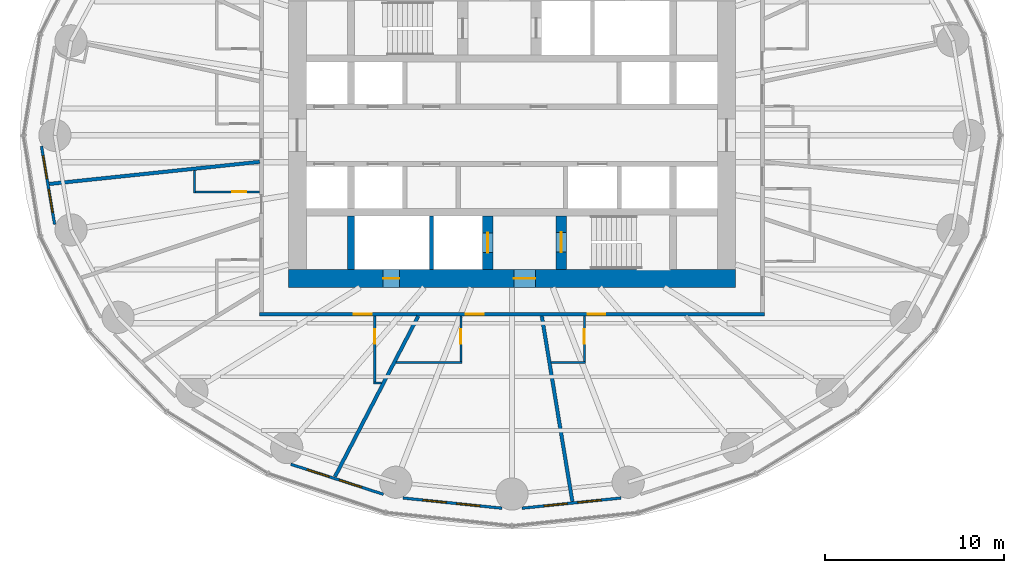
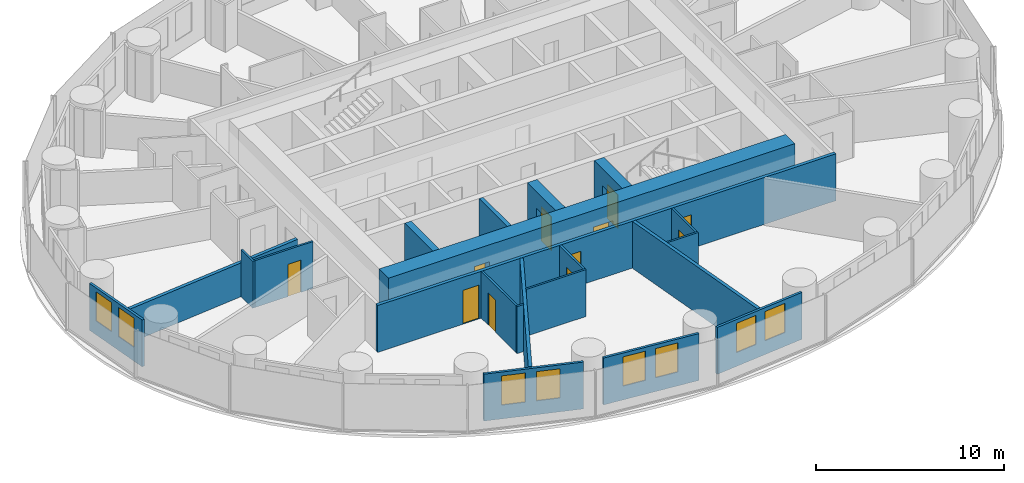
# One storey, part 6 of 13: 21 walls, 11 doors, 8 windows, 19 openings.
"""IFC4 building model written with IfcOpenShell, lengths in metres."""

from ifc_helpers import new_model, si_unit, direction, frame, frame_2d, origin, place, context, subcontext, project, spatial, rectangle, extrude, material, layer, layer_set, type_object, element, fill, save


model = new_model("IFC4")

# Units and contexts
model_context = context("Model", 3, precision=1e-05, world=origin(), true_north=direction((0.0, 1.0)))
body_context = subcontext(model_context, "Body", "Model", "MODEL_VIEW")
ifc_project = project(units=[si_unit("LENGTHUNIT", "METRE"), si_unit("AREAUNIT", "SQUARE_METRE"), si_unit("VOLUMEUNIT", "CUBIC_METRE"), si_unit("PLANEANGLEUNIT", "RADIAN"), si_unit("MASSUNIT", "GRAM", prefix="KILO")], contexts=[model_context])

# Site, building, storey
site_placement = place(None, origin())
site = spatial("IfcSite", under=ifc_project, at=site_placement, CompositionType="ELEMENT")
building_placement = place(site_placement, origin())
building = spatial("IfcBuilding", under=site, at=building_placement, Name="Hankou Lantern Tower", CompositionType="ELEMENT")
storey_placement = place(building_placement, frame((0.0, 0.0, 42.60009765625)))
storey = spatial("IfcBuildingStorey", under=building, at=storey_placement, Name="L09", CompositionType="ELEMENT", Elevation=42.60009765625)

# Wall, openings, doors
ifc_material_1 = material(Name="Concrete C60", Category="concrete")
ifc_layer_1 = layer(ifc_material_1, 1.0)
ifc_layer_set_1 = layer_set([ifc_layer_1], Name="Concrete C60")
wall_type_1 = type_object("IfcWallType", Name="CW1 CORE WALL 1000", PredefinedType="SHEAR", material=ifc_layer_set_1)
wall_1_placement = place(storey_placement, frame((12.5, -8.0, 0.0), z_axis=(0.0, 0.0, 1.0), x_axis=(-1.0, 0.0, 0.0)))
wall_1 = element("IfcWall", 1, at=wall_1_placement, inside=storey, type_object=wall_type_1, Name="Core wall south L09", PredefinedType="SHEAR", context=body_context, shape_type="SweptSolid", body=[
    extrude(rectangle(XDim=25.0, YDim=1.0, at=frame_2d((12.5, 0.0))), origin(), (0.0, 0.0, 1.0), 3.2998046875),
])
opening_1_placement = place(wall_1_placement, frame((11.199951171875, 0.0, 0.0)))
opening_1 = element("IfcOpeningElement", 2, at=opening_1_placement, cuts=wall_1, Name="Opening D5", PredefinedType="OPENING", context=body_context, shape_type="SweptSolid", body=[
    extrude(rectangle(XDim=1.199951171875, YDim=2.199951171875, at=frame_2d((0.60009765625, 1.10009765625))), frame((0.0, 0.510009765625, 0.0), z_axis=(0.0, -1.0, 0.0), x_axis=(1.0, 0.0, 0.0)), (0.0, 0.0, 1.0), 1.02001953125),
])
opening_2_placement = place(wall_1_placement, frame((18.800048828125, 0.0, 0.0)))
opening_2 = element("IfcOpeningElement", 3, at=opening_2_placement, cuts=wall_1, Name="Opening D7", PredefinedType="OPENING", context=body_context, shape_type="SweptSolid", body=[
    extrude(rectangle(XDim=0.89990234375, YDim=2.199951171875, at=frame_2d((0.449951171875, 1.10009765625))), frame((0.0, 0.510009765625, 0.0), z_axis=(0.0, -1.0, 0.0), x_axis=(1.0, 0.0, 0.0)), (0.0, 0.0, 1.0), 1.02001953125),
])
ifc_material_2 = material(Name="Steel door leaf", Category="steel")
door_type_1 = type_object("IfcDoorType", Name="D5 STAIR LOBBY DOOR 1200X2200", OperationType="SINGLE_SWING_LEFT", PredefinedType="DOOR", material=ifc_material_2)
door_1_placement = place(opening_1_placement, origin())
door_1 = element("IfcDoor", 4, at=door_1_placement, inside=storey, type_object=door_type_1, Name="Stair B lobby door", OperationType="SINGLE_SWING_LEFT", OverallHeight=2.199951171875, OverallWidth=1.199951171875, PredefinedType="DOOR", context=body_context, shape_type="SweptSolid", body=[
    extrude(rectangle(XDim=1.199951171875, YDim=2.199951171875, at=frame_2d((0.60009765625, 1.10009765625))), frame((0.0, 0.02490234375, 0.0), z_axis=(0.0, -1.0, 0.0), x_axis=(1.0, 0.0, 0.0)), (0.0, 0.0, 1.0), 0.050048828125),
])
fill(opening_1, door_1)
ifc_material_3 = material(Name="Steel door leaf", Category="steel")
door_type_2 = type_object("IfcDoorType", Name="D7 RISER DOOR 900X2200", OperationType="SINGLE_SWING_LEFT", PredefinedType="DOOR", material=ifc_material_3)
door_2_placement = place(opening_2_placement, origin())
door_2 = element("IfcDoor", 5, at=door_2_placement, inside=storey, type_object=door_type_2, Name="Riser S1 door", OperationType="SINGLE_SWING_RIGHT", OverallHeight=2.199951171875, OverallWidth=0.89990234375, PredefinedType="DOOR", context=body_context, shape_type="SweptSolid", body=[
    extrude(rectangle(XDim=0.89990234375, YDim=2.199951171875, at=frame_2d((0.449951171875, 1.10009765625))), frame((0.0, 0.02490234375, 0.0), z_axis=(0.0, -1.0, 0.0), x_axis=(1.0, 0.0, 0.0)), (0.0, 0.0, 1.0), 0.050048828125),
])
fill(opening_2, door_2)

# Wall
ifc_material_4 = material(Name="Concrete C60", Category="concrete")
ifc_layer_2 = layer(ifc_material_4, 0.39990234375)
ifc_layer_set_2 = layer_set([ifc_layer_2], Name="Concrete C60")
wall_type_2 = type_object("IfcWallType", Name="CW4 CORE CROSS WALL 400", PredefinedType="SHEAR", material=ifc_layer_set_2)
wall_2_placement = place(storey_placement, frame((-9.0, -7.5, 0.0), z_axis=(0.0, 0.0, 1.0), x_axis=(0.0, 1.0, 0.0)))
element("IfcWall", 6, at=wall_2_placement, inside=storey, type_object=wall_type_2, Name="Core strip wall L09", PredefinedType="SHEAR", context=body_context, shape_type="SweptSolid", body=[
    extrude(rectangle(XDim=3.0, YDim=0.39990234375, at=frame_2d((1.5, 0.0))), origin(), (0.0, 0.0, 1.0), 3.2998046875),
])

# Wall, opening, door
ifc_material_5 = material(Name="Concrete C60", Category="concrete")
ifc_layer_3 = layer(ifc_material_5, 0.60009765625)
ifc_layer_set_3 = layer_set([ifc_layer_3], Name="Concrete C60")
wall_type_3 = type_object("IfcWallType", Name="CW6 STAIR AND SHAFT WALL 600", PredefinedType="SHEAR", material=ifc_layer_set_3)
wall_3_placement = place(storey_placement, frame((2.75, -7.5, 0.0), z_axis=(0.0, 0.0, 1.0), x_axis=(0.0, 1.0, 0.0)))
wall_3 = element("IfcWall", 7, at=wall_3_placement, inside=storey, type_object=wall_type_3, Name="Stair wall L09", PredefinedType="SHEAR", context=body_context, shape_type="SweptSolid", body=[
    extrude(rectangle(XDim=3.0, YDim=0.60009765625, at=frame_2d((1.5, 0.0))), origin(), (0.0, 0.0, 1.0), 3.2998046875),
])
opening_3_placement = place(wall_3_placement, frame((0.97509765625, 0.0, 0.0)))
opening_3 = element("IfcOpeningElement", 8, at=opening_3_placement, cuts=wall_3, Name="Opening D4", PredefinedType="OPENING", context=body_context, shape_type="SweptSolid", body=[
    extrude(rectangle(XDim=1.10009765625, YDim=2.199951171875, at=frame_2d((0.550048828125, 1.10009765625))), frame((0.0, 0.31005859375, 0.0), z_axis=(0.0, -1.0, 0.0), x_axis=(1.0, 0.0, 0.0)), (0.0, 0.0, 1.0), 0.6201171875),
])
ifc_material_6 = material(Name="Steel door leaf", Category="steel")
door_type_3 = type_object("IfcDoorType", Name="D4 STAIR DOOR 1100X2200", OperationType="SINGLE_SWING_LEFT", PredefinedType="DOOR", material=ifc_material_6)
door_3_placement = place(opening_3_placement, origin())
door_3 = element("IfcDoor", 9, at=door_3_placement, inside=storey, type_object=door_type_3, Name="Stair B door", OperationType="SINGLE_SWING_RIGHT", OverallHeight=2.199951171875, OverallWidth=1.10009765625, PredefinedType="DOOR", context=body_context, shape_type="SweptSolid", body=[
    extrude(rectangle(XDim=1.10009765625, YDim=2.199951171875, at=frame_2d((0.550048828125, 1.10009765625))), frame((0.0, 0.02490234375, 0.0), z_axis=(0.0, -1.0, 0.0), x_axis=(1.0, 0.0, 0.0)), (0.0, 0.0, 1.0), 0.050048828125),
])
fill(opening_3, door_3)

wall_4_placement = place(storey_placement, frame((-1.35009765625, -7.5, 0.0), z_axis=(0.0, 0.0, 1.0), x_axis=(0.0, 1.0, 0.0)))
wall_4 = element("IfcWall", 10, at=wall_4_placement, inside=storey, type_object=wall_type_3, Name="Firefighting lift shaft wall L09", PredefinedType="SHEAR", context=body_context, shape_type="SweptSolid", body=[
    extrude(rectangle(XDim=3.0, YDim=0.60009765625, at=frame_2d((1.5, 0.0))), origin(), (0.0, 0.0, 1.0), 3.2998046875),
])
opening_4_placement = place(wall_4_placement, frame((0.949951171875, 0.0, 0.0)))
opening_4 = element("IfcOpeningElement", 11, at=opening_4_placement, cuts=wall_4, Name="Opening LD2", PredefinedType="OPENING", context=body_context, shape_type="SweptSolid", body=[
    extrude(rectangle(XDim=1.10009765625, YDim=2.199951171875, at=frame_2d((0.550048828125, 1.10009765625))), frame((0.0, 0.31005859375, 0.0), z_axis=(0.0, -1.0, 0.0), x_axis=(1.0, 0.0, 0.0)), (0.0, 0.0, 1.0), 0.6201171875),
])
ifc_material_7 = material(Name="Steel door leaf", Category="steel")
door_type_4 = type_object("IfcDoorType", Name="LD2 FIREFIGHTING LIFT LANDING DOOR 1100X2200", OperationType="DOUBLE_DOOR_SLIDING", PredefinedType="DOOR", material=ifc_material_7)
door_4_placement = place(opening_4_placement, origin())
door_4 = element("IfcDoor", 12, at=door_4_placement, inside=storey, type_object=door_type_4, Name="Firefighting lift FL2 landing door", OperationType="DOUBLE_DOOR_SLIDING", OverallHeight=2.199951171875, OverallWidth=1.10009765625, PredefinedType="DOOR", context=body_context, shape_type="SweptSolid", body=[
    extrude(rectangle(XDim=1.10009765625, YDim=2.199951171875, at=frame_2d((0.550048828125, 1.10009765625))), frame((0.0, 0.02490234375, 0.0), z_axis=(0.0, -1.0, 0.0), x_axis=(1.0, 0.0, 0.0)), (0.0, 0.0, 1.0), 0.050048828125),
])
fill(opening_4, door_4)

# Wall, openings, windows
ifc_material_8 = material(Name="Aluminium spandrel panel on steel studs", Category="steel")
ifc_layer_4 = layer(ifc_material_8, 0.14990234375)
ifc_layer_set_4 = layer_set([ifc_layer_4], Name="Aluminium spandrel panel on steel studs")
wall_type_4 = type_object("IfcWallType", Name="EW1 INNER SKIN WALL 150", PredefinedType="ELEMENTEDWALL", material=ifc_layer_set_4)
wall_5_placement = place(storey_placement, frame((-26.29736328125, -0.611083984375, 0.0), z_axis=(0.0, 0.0, 1.0), x_axis=(0.165641751141, -0.986185991727, 0.0)))
wall_5 = element("IfcWall", 13, at=wall_5_placement, inside=storey, type_object=wall_type_4, Name="Inner skin R13-R14 L09", PredefinedType="ELEMENTEDWALL", context=body_context, shape_type="SweptSolid", body=[
    extrude(rectangle(XDim=4.427734375, YDim=0.14990234375, at=frame_2d((2.2138671875, 0.0))), origin(), (0.0, 0.0, 1.0), 3.0498046875),
])
opening_5_placement = place(wall_5_placement, frame((0.5498046875, 0.0, 0.89990234375)))
opening_5 = element("IfcOpeningElement", 14, at=opening_5_placement, cuts=wall_5, Name="Opening W9", PredefinedType="OPENING", context=body_context, shape_type="SweptSolid", body=[
    extrude(rectangle(XDim=1.300048828125, YDim=1.89990234375, at=frame_2d((0.64990234375, 0.949951171875))), frame((0.0, 0.0849609375, 0.0), z_axis=(0.0, -1.0, 0.0), x_axis=(1.0, 0.0, 0.0)), (0.0, 0.0, 1.0), 0.169921875),
])
opening_6_placement = place(wall_5_placement, frame((2.44970703125, 0.0, 0.89990234375)))
opening_6 = element("IfcOpeningElement", 15, at=opening_6_placement, cuts=wall_5, Name="Opening W9", PredefinedType="OPENING", context=body_context, shape_type="SweptSolid", body=[
    extrude(rectangle(XDim=1.300048828125, YDim=1.89990234375, at=frame_2d((0.64990234375, 0.949951171875))), frame((0.0, 0.0849609375, 0.0), z_axis=(0.0, -1.0, 0.0), x_axis=(1.0, 0.0, 0.0)), (0.0, 0.0, 1.0), 0.169921875),
])
ifc_material_9 = material(Name="Aluminium framed double glazed window", Category="aluminium")
window_type = type_object("IfcWindowType", Name="W9 GUEST ROOM WINDOW 1300X1900", PartitioningType="DOUBLE_PANEL_VERTICAL", PredefinedType="WINDOW", material=ifc_material_9)
window_1_placement = place(opening_5_placement, origin())
window_1 = element("IfcWindow", 16, at=window_1_placement, inside=storey, type_object=window_type, Name="Window R13.1 L09", OverallHeight=1.89990234375, OverallWidth=1.300048828125, PartitioningType="SINGLE_PANEL", PredefinedType="WINDOW", context=body_context, shape_type="SweptSolid", body=[
    extrude(rectangle(XDim=1.300048828125, YDim=1.89990234375, at=frame_2d((0.64990234375, 0.949951171875))), frame((0.0, 0.030029296875, 0.0), z_axis=(0.0, -1.0, 0.0), x_axis=(1.0, 0.0, 0.0)), (0.0, 0.0, 1.0), 0.06005859375),
])
fill(opening_5, window_1)
window_2_placement = place(opening_6_placement, origin())
window_2 = element("IfcWindow", 17, at=window_2_placement, inside=storey, type_object=window_type, Name="Window R13.2 L09", OverallHeight=1.89990234375, OverallWidth=1.300048828125, PartitioningType="SINGLE_PANEL", PredefinedType="WINDOW", context=body_context, shape_type="SweptSolid", body=[
    extrude(rectangle(XDim=1.300048828125, YDim=1.89990234375, at=frame_2d((0.64990234375, 0.949951171875))), frame((0.0, 0.030029296875, 0.0), z_axis=(0.0, -1.0, 0.0), x_axis=(1.0, 0.0, 0.0)), (0.0, 0.0, 1.0), 0.06005859375),
])
fill(opening_6, window_2)

wall_6_placement = place(storey_placement, frame((-12.3662109375, -18.384033203125, 0.0), z_axis=(0.0, 0.0, 1.0), x_axis=(0.951138486029, -0.308764603532, 0.0)))
wall_6 = element("IfcWall", 18, at=wall_6_placement, inside=storey, type_object=wall_type_4, Name="Inner skin R17-R18 L09", PredefinedType="ELEMENTEDWALL", context=body_context, shape_type="SweptSolid", body=[
    extrude(rectangle(XDim=5.444091796875, YDim=0.14990234375, at=frame_2d((2.72216796875, 0.0))), origin(), (0.0, 0.0, 1.0), 3.0498046875),
])
opening_7_placement = place(wall_6_placement, frame((0.959716796875, 0.0, 0.89990234375)))
opening_7 = element("IfcOpeningElement", 19, at=opening_7_placement, cuts=wall_6, Name="Opening W9", PredefinedType="OPENING", context=body_context, shape_type="SweptSolid", body=[
    extrude(rectangle(XDim=1.300048828125, YDim=1.89990234375, at=frame_2d((0.64990234375, 0.949951171875))), frame((0.0, 0.0849609375, 0.0), z_axis=(0.0, -1.0, 0.0), x_axis=(1.0, 0.0, 0.0)), (0.0, 0.0, 1.0), 0.169921875),
])
opening_8_placement = place(wall_6_placement, frame((2.85986328125, 0.0, 0.89990234375)))
opening_8 = element("IfcOpeningElement", 20, at=opening_8_placement, cuts=wall_6, Name="Opening W9", PredefinedType="OPENING", context=body_context, shape_type="SweptSolid", body=[
    extrude(rectangle(XDim=1.300048828125, YDim=1.89990234375, at=frame_2d((0.64990234375, 0.949951171875))), frame((0.0, 0.0849609375, 0.0), z_axis=(0.0, -1.0, 0.0), x_axis=(1.0, 0.0, 0.0)), (0.0, 0.0, 1.0), 0.169921875),
])
window_3_placement = place(opening_7_placement, origin())
window_3 = element("IfcWindow", 21, at=window_3_placement, inside=storey, type_object=window_type, Name="Window R17.1 L09", OverallHeight=1.89990234375, OverallWidth=1.300048828125, PartitioningType="SINGLE_PANEL", PredefinedType="WINDOW", context=body_context, shape_type="SweptSolid", body=[
    extrude(rectangle(XDim=1.300048828125, YDim=1.89990234375, at=frame_2d((0.64990234375, 0.949951171875))), frame((0.0, 0.030029296875, 0.0), z_axis=(0.0, -1.0, 0.0), x_axis=(1.0, 0.0, 0.0)), (0.0, 0.0, 1.0), 0.06005859375),
])
fill(opening_7, window_3)
window_4_placement = place(opening_8_placement, origin())
window_4 = element("IfcWindow", 22, at=window_4_placement, inside=storey, type_object=window_type, Name="Window R17.2 L09", OverallHeight=1.89990234375, OverallWidth=1.300048828125, PartitioningType="SINGLE_PANEL", PredefinedType="WINDOW", context=body_context, shape_type="SweptSolid", body=[
    extrude(rectangle(XDim=1.300048828125, YDim=1.89990234375, at=frame_2d((0.64990234375, 0.949951171875))), frame((0.0, 0.030029296875, 0.0), z_axis=(0.0, -1.0, 0.0), x_axis=(1.0, 0.0, 0.0)), (0.0, 0.0, 1.0), 0.06005859375),
])
fill(opening_8, window_4)

wall_7_placement = place(storey_placement, frame((-6.09765625, -20.27099609375, 0.0), z_axis=(0.0, 0.0, 1.0), x_axis=(0.994723735084, -0.102589915983, 0.0)))
wall_7 = element("IfcWall", 23, at=wall_7_placement, inside=storey, type_object=wall_type_4, Name="Inner skin R18-R19 L09", PredefinedType="ELEMENTEDWALL", context=body_context, shape_type="SweptSolid", body=[
    extrude(rectangle(XDim=5.575927734375, YDim=0.14990234375, at=frame_2d((2.7880859375, 0.0))), origin(), (0.0, 0.0, 1.0), 3.0498046875),
])
opening_9_placement = place(wall_7_placement, frame((1.128662109375, 0.0, 0.89990234375)))
opening_9 = element("IfcOpeningElement", 24, at=opening_9_placement, cuts=wall_7, Name="Opening W9", PredefinedType="OPENING", context=body_context, shape_type="SweptSolid", body=[
    extrude(rectangle(XDim=1.300048828125, YDim=1.89990234375, at=frame_2d((0.64990234375, 0.949951171875))), frame((0.0, 0.0849609375, 0.0), z_axis=(0.0, -1.0, 0.0), x_axis=(1.0, 0.0, 0.0)), (0.0, 0.0, 1.0), 0.169921875),
])
opening_10_placement = place(wall_7_placement, frame((3.02880859375, 0.0, 0.89990234375)))
opening_10 = element("IfcOpeningElement", 25, at=opening_10_placement, cuts=wall_7, Name="Opening W9", PredefinedType="OPENING", context=body_context, shape_type="SweptSolid", body=[
    extrude(rectangle(XDim=1.300048828125, YDim=1.89990234375, at=frame_2d((0.64990234375, 0.949951171875))), frame((0.0, 0.0849609375, 0.0), z_axis=(0.0, -1.0, 0.0), x_axis=(1.0, 0.0, 0.0)), (0.0, 0.0, 1.0), 0.169921875),
])
window_5_placement = place(opening_9_placement, origin())
window_5 = element("IfcWindow", 26, at=window_5_placement, inside=storey, type_object=window_type, Name="Window R18.1 L09", OverallHeight=1.89990234375, OverallWidth=1.300048828125, PartitioningType="SINGLE_PANEL", PredefinedType="WINDOW", context=body_context, shape_type="SweptSolid", body=[
    extrude(rectangle(XDim=1.300048828125, YDim=1.89990234375, at=frame_2d((0.64990234375, 0.949951171875))), frame((0.0, 0.030029296875, 0.0), z_axis=(0.0, -1.0, 0.0), x_axis=(1.0, 0.0, 0.0)), (0.0, 0.0, 1.0), 0.06005859375),
])
fill(opening_9, window_5)
window_6_placement = place(opening_10_placement, origin())
window_6 = element("IfcWindow", 27, at=window_6_placement, inside=storey, type_object=window_type, Name="Window R18.2 L09", OverallHeight=1.89990234375, OverallWidth=1.300048828125, PartitioningType="SINGLE_PANEL", PredefinedType="WINDOW", context=body_context, shape_type="SweptSolid", body=[
    extrude(rectangle(XDim=1.300048828125, YDim=1.89990234375, at=frame_2d((0.64990234375, 0.949951171875))), frame((0.0, 0.030029296875, 0.0), z_axis=(0.0, -1.0, 0.0), x_axis=(1.0, 0.0, 0.0)), (0.0, 0.0, 1.0), 0.06005859375),
])
fill(opening_10, window_6)

wall_8_placement = place(storey_placement, frame((0.55126953125, -20.843017578125, 0.0), z_axis=(0.0, 0.0, 1.0), x_axis=(0.994723735084, 0.102589915983, 0.0)))
wall_8 = element("IfcWall", 28, at=wall_8_placement, inside=storey, type_object=wall_type_4, Name="Inner skin R19-R20 L09", PredefinedType="ELEMENTEDWALL", context=body_context, shape_type="SweptSolid", body=[
    extrude(rectangle(XDim=5.575927734375, YDim=0.14990234375, at=frame_2d((2.7880859375, 0.0))), origin(), (0.0, 0.0, 1.0), 3.0498046875),
])
opening_11_placement = place(wall_8_placement, frame((1.246826171875, 0.0, 0.89990234375)))
opening_11 = element("IfcOpeningElement", 29, at=opening_11_placement, cuts=wall_8, Name="Opening W9", PredefinedType="OPENING", context=body_context, shape_type="SweptSolid", body=[
    extrude(rectangle(XDim=1.300048828125, YDim=1.89990234375, at=frame_2d((0.64990234375, 0.949951171875))), frame((0.0, 0.0849609375, 0.0), z_axis=(0.0, -1.0, 0.0), x_axis=(1.0, 0.0, 0.0)), (0.0, 0.0, 1.0), 0.169921875),
])
opening_12_placement = place(wall_8_placement, frame((3.146728515625, 0.0, 0.89990234375)))
opening_12 = element("IfcOpeningElement", 30, at=opening_12_placement, cuts=wall_8, Name="Opening W9", PredefinedType="OPENING", context=body_context, shape_type="SweptSolid", body=[
    extrude(rectangle(XDim=1.300048828125, YDim=1.89990234375, at=frame_2d((0.64990234375, 0.949951171875))), frame((0.0, 0.0849609375, 0.0), z_axis=(0.0, -1.0, 0.0), x_axis=(1.0, 0.0, 0.0)), (0.0, 0.0, 1.0), 0.169921875),
])
window_7_placement = place(opening_11_placement, origin())
window_7 = element("IfcWindow", 31, at=window_7_placement, inside=storey, type_object=window_type, Name="Window R19.1 L09", OverallHeight=1.89990234375, OverallWidth=1.300048828125, PartitioningType="SINGLE_PANEL", PredefinedType="WINDOW", context=body_context, shape_type="SweptSolid", body=[
    extrude(rectangle(XDim=1.300048828125, YDim=1.89990234375, at=frame_2d((0.64990234375, 0.949951171875))), frame((0.0, 0.030029296875, 0.0), z_axis=(0.0, -1.0, 0.0), x_axis=(1.0, 0.0, 0.0)), (0.0, 0.0, 1.0), 0.06005859375),
])
fill(opening_11, window_7)
window_8_placement = place(opening_12_placement, origin())
window_8 = element("IfcWindow", 32, at=window_8_placement, inside=storey, type_object=window_type, Name="Window R19.2 L09", OverallHeight=1.89990234375, OverallWidth=1.300048828125, PartitioningType="SINGLE_PANEL", PredefinedType="WINDOW", context=body_context, shape_type="SweptSolid", body=[
    extrude(rectangle(XDim=1.300048828125, YDim=1.89990234375, at=frame_2d((0.64990234375, 0.949951171875))), frame((0.0, 0.030029296875, 0.0), z_axis=(0.0, -1.0, 0.0), x_axis=(1.0, 0.0, 0.0)), (0.0, 0.0, 1.0), 0.06005859375),
])
fill(opening_12, window_8)

# Walls
ifc_material_10 = material(Name="Masonry lightweight concrete block", Category="masonry")
ifc_layer_5 = layer(ifc_material_10, 0.199951171875)
ifc_layer_set_5 = layer_set([ifc_layer_5], Name="Masonry lightweight concrete block")
wall_type_5 = type_object("IfcWallType", Name="IW1 GUEST ROOM PARTY WALL 200", PredefinedType="PARTITIONING", material=ifc_layer_set_5)
wall_9_placement = place(storey_placement, frame((-14.10009765625, -1.48193359375, 0.0), z_axis=(0.0, 0.0, 1.0), x_axis=(-0.994522076235, -0.104526742422, 0.0)))
element("IfcWall", 33, at=wall_9_placement, inside=storey, type_object=wall_type_5, Name="Party wall R13-R14", PredefinedType="PARTITIONING", context=body_context, shape_type="SweptSolid", body=[
    extrude(rectangle(XDim=11.82080078125, YDim=0.199951171875, at=frame_2d((5.910400390625, 0.0))), origin(), (0.0, 0.0, 1.0), 2.199951171875),
])
wall_10_placement = place(storey_placement, frame((-5.238525390625, -10.10009765625, 0.0), z_axis=(0.0, 0.0, 1.0), x_axis=(-0.460422783389, -0.887699758103, 0.0)))
element("IfcWall", 34, at=wall_10_placement, inside=storey, type_object=wall_type_5, Name="Party wall R17-R18", PredefinedType="PARTITIONING", context=body_context, shape_type="SweptSolid", body=[
    extrude(rectangle(XDim=10.120361328125, YDim=0.199951171875, at=frame_2d((5.06005859375, 0.0))), origin(), (0.0, 0.0, 1.0), 3.0498046875),
])
wall_11_placement = place(storey_placement, frame((1.6650390625, -10.10009765625, 0.0), z_axis=(0.0, 0.0, 1.0), x_axis=(0.162657606458, -0.986682574621, 0.0)))
element("IfcWall", 35, at=wall_11_placement, inside=storey, type_object=wall_type_5, Name="Party wall R19-R20", PredefinedType="PARTITIONING", context=body_context, shape_type="SweptSolid", body=[
    extrude(rectangle(XDim=10.505126953125, YDim=0.199951171875, at=frame_2d((5.25244140625, 0.0))), origin(), (0.0, 0.0, 1.0), 3.0498046875),
])

# Wall, openings, doors
ifc_material_11 = material(Name="Masonry lightweight concrete block", Category="masonry")
ifc_layer_6 = layer(ifc_material_11, 0.199951171875)
ifc_layer_set_6 = layer_set([ifc_layer_6], Name="Masonry lightweight concrete block")
wall_type_6 = type_object("IfcWallType", Name="IW2 CORRIDOR WALL 200", PredefinedType="PARTITIONING", material=ifc_layer_set_6)
wall_12_placement = place(storey_placement, frame((14.10009765625, -10.0, 0.0), z_axis=(0.0, 0.0, 1.0), x_axis=(-1.0, 0.0, 0.0)))
wall_12 = element("IfcWall", 36, at=wall_12_placement, inside=storey, type_object=wall_type_6, Name="Corridor wall south", PredefinedType="PARTITIONING", context=body_context, shape_type="SweptSolid", body=[
    extrude(rectangle(XDim=28.2001953125, YDim=0.199951171875, at=frame_2d((14.10009765625, 0.0))), origin(), (0.0, 0.0, 1.0), 3.0498046875),
])
opening_13_placement = place(wall_12_placement, frame((21.948486328125, 0.0, 0.0)))
opening_13 = element("IfcOpeningElement", 37, at=opening_13_placement, cuts=wall_12, Name="Opening D2", PredefinedType="OPENING", context=body_context, shape_type="SweptSolid", body=[
    extrude(rectangle(XDim=1.0, YDim=2.199951171875, at=frame_2d((0.5, 1.10009765625))), frame((0.0, 0.10986328125, 0.0), z_axis=(0.0, -1.0, 0.0), x_axis=(1.0, 0.0, 0.0)), (0.0, 0.0, 1.0), 0.219970703125),
])
opening_14_placement = place(wall_12_placement, frame((15.68359375, 0.0, 0.0)))
opening_14 = element("IfcOpeningElement", 38, at=opening_14_placement, cuts=wall_12, Name="Opening D2", PredefinedType="OPENING", context=body_context, shape_type="SweptSolid", body=[
    extrude(rectangle(XDim=1.0, YDim=2.199951171875, at=frame_2d((0.5, 1.10009765625))), frame((0.0, 0.10986328125, 0.0), z_axis=(0.0, -1.0, 0.0), x_axis=(1.0, 0.0, 0.0)), (0.0, 0.0, 1.0), 0.219970703125),
])
opening_15_placement = place(wall_12_placement, frame((8.875, 0.0, 0.0)))
opening_15 = element("IfcOpeningElement", 39, at=opening_15_placement, cuts=wall_12, Name="Opening D2", PredefinedType="OPENING", context=body_context, shape_type="SweptSolid", body=[
    extrude(rectangle(XDim=1.0, YDim=2.199951171875, at=frame_2d((0.5, 1.10009765625))), frame((0.0, 0.10986328125, 0.0), z_axis=(0.0, -1.0, 0.0), x_axis=(1.0, 0.0, 0.0)), (0.0, 0.0, 1.0), 0.219970703125),
])
ifc_material_12 = material(Name="Steel door leaf", Category="steel")
door_type_5 = type_object("IfcDoorType", Name="D2 SUITE DOOR 1000X2200", OperationType="SINGLE_SWING_LEFT", PredefinedType="DOOR", material=ifc_material_12)
door_5_placement = place(opening_13_placement, origin())
door_5 = element("IfcDoor", 40, at=door_5_placement, inside=storey, type_object=door_type_5, Name="Suite door 0915", OperationType="SINGLE_SWING_LEFT", OverallHeight=2.199951171875, OverallWidth=1.0, PredefinedType="DOOR", context=body_context, shape_type="SweptSolid", body=[
    extrude(rectangle(XDim=1.0, YDim=2.199951171875, at=frame_2d((0.5, 1.10009765625))), frame((0.0, 0.02490234375, 0.0), z_axis=(0.0, -1.0, 0.0), x_axis=(1.0, 0.0, 0.0)), (0.0, 0.0, 1.0), 0.050048828125),
])
fill(opening_13, door_5)
door_6_placement = place(opening_14_placement, origin())
door_6 = element("IfcDoor", 41, at=door_6_placement, inside=storey, type_object=door_type_5, Name="Suite door 0916", OperationType="SINGLE_SWING_RIGHT", OverallHeight=2.199951171875, OverallWidth=1.0, PredefinedType="DOOR", context=body_context, shape_type="SweptSolid", body=[
    extrude(rectangle(XDim=1.0, YDim=2.199951171875, at=frame_2d((0.5, 1.10009765625))), frame((0.0, 0.02490234375, 0.0), z_axis=(0.0, -1.0, 0.0), x_axis=(1.0, 0.0, 0.0)), (0.0, 0.0, 1.0), 0.050048828125),
])
fill(opening_14, door_6)
door_7_placement = place(opening_15_placement, origin())
door_7 = element("IfcDoor", 42, at=door_7_placement, inside=storey, type_object=door_type_5, Name="Suite door 0917", OperationType="SINGLE_SWING_RIGHT", OverallHeight=2.199951171875, OverallWidth=1.0, PredefinedType="DOOR", context=body_context, shape_type="SweptSolid", body=[
    extrude(rectangle(XDim=1.0, YDim=2.199951171875, at=frame_2d((0.5, 1.10009765625))), frame((0.0, 0.02490234375, 0.0), z_axis=(0.0, -1.0, 0.0), x_axis=(1.0, 0.0, 0.0)), (0.0, 0.0, 1.0), 0.050048828125),
])
fill(opening_15, door_7)

# Wall
ifc_material_13 = material(Name="Masonry lightweight concrete block", Category="masonry")
ifc_layer_7 = layer(ifc_material_13, 0.1201171875)
ifc_layer_set_7 = layer_set([ifc_layer_7], Name="Masonry lightweight concrete block")
wall_type_7 = type_object("IfcWallType", Name="IW3 BATHROOM WALL 120", PredefinedType="PARTITIONING", material=ifc_layer_set_7)
wall_13_placement = place(storey_placement, frame((-17.75, -1.965576171875, 0.0), z_axis=(0.0, 0.0, 1.0), x_axis=(0.0, -1.0, 0.0)))
element("IfcWall", 43, at=wall_13_placement, inside=storey, type_object=wall_type_7, Name="Box wall 0913 1", PredefinedType="PARTITIONING", context=body_context, shape_type="SweptSolid", body=[
    extrude(rectangle(XDim=1.25634765625, YDim=0.1201171875, at=frame_2d((0.628173828125, 0.0))), origin(), (0.0, 0.0, 1.0), 3.0498046875),
])

# Wall, opening, door
wall_14_placement = place(storey_placement, frame((-14.10009765625, -3.161865234375, 0.0), z_axis=(0.0, 0.0, 1.0), x_axis=(-1.0, 0.0, 0.0)))
wall_14 = element("IfcWall", 44, at=wall_14_placement, inside=storey, type_object=wall_type_7, Name="Box wall 0913 1", PredefinedType="PARTITIONING", context=body_context, shape_type="SweptSolid", body=[
    extrude(rectangle(XDim=3.58984375, YDim=0.1201171875, at=frame_2d((1.794921875, 0.0))), origin(), (0.0, 0.0, 1.0), 3.0498046875),
])
opening_16_placement = place(wall_14_placement, frame((0.75, 0.0, 0.0)))
opening_16 = element("IfcOpeningElement", 45, at=opening_16_placement, cuts=wall_14, Name="Opening D3", PredefinedType="OPENING", context=body_context, shape_type="SweptSolid", body=[
    extrude(rectangle(XDim=0.800048828125, YDim=2.10009765625, at=frame_2d((0.39990234375, 1.050048828125))), frame((0.0, 0.070068359375, 0.0), z_axis=(0.0, -1.0, 0.0), x_axis=(1.0, 0.0, 0.0)), (0.0, 0.0, 1.0), 0.14013671875),
])
ifc_material_14 = material(Name="Timber door leaf", Category="wood")
door_type_6 = type_object("IfcDoorType", Name="D3 BATHROOM DOOR 800X2100", OperationType="SINGLE_SWING_LEFT", PredefinedType="DOOR", material=ifc_material_14)
door_8_placement = place(opening_16_placement, origin())
door_8 = element("IfcDoor", 46, at=door_8_placement, inside=storey, type_object=door_type_6, Name="En-suite bathroom 0913 door", OperationType="SINGLE_SWING_LEFT", OverallHeight=2.10009765625, OverallWidth=0.800048828125, PredefinedType="DOOR", context=body_context, shape_type="SweptSolid", body=[
    extrude(rectangle(XDim=0.800048828125, YDim=2.10009765625, at=frame_2d((0.39990234375, 1.050048828125))), frame((0.0, 0.02490234375, 0.0), z_axis=(0.0, -1.0, 0.0), x_axis=(1.0, 0.0, 0.0)), (0.0, 0.0, 1.0), 0.050048828125),
])
fill(opening_16, door_8)

# Wall
wall_15_placement = place(storey_placement, frame((-7.28369140625, -13.85009765625, 0.0), z_axis=(0.0, 0.0, 1.0), x_axis=(-1.0, 0.0, 0.0)))
element("IfcWall", 47, at=wall_15_placement, inside=storey, type_object=wall_type_7, Name="Box wall 0915 1", PredefinedType="PARTITIONING", context=body_context, shape_type="SweptSolid", body=[
    extrude(rectangle(XDim=0.44482421875, YDim=0.1201171875, at=frame_2d((0.222412109375, 0.0))), origin(), (0.0, 0.0, 1.0), 3.0498046875),
])

# Wall, opening, door
wall_16_placement = place(storey_placement, frame((-7.668701171875, -10.10009765625, 0.0), z_axis=(0.0, 0.0, 1.0), x_axis=(0.0, -1.0, 0.0)))
wall_16 = element("IfcWall", 48, at=wall_16_placement, inside=storey, type_object=wall_type_7, Name="Box wall 0915 1", PredefinedType="PARTITIONING", context=body_context, shape_type="SweptSolid", body=[
    extrude(rectangle(XDim=3.68994140625, YDim=0.1201171875, at=frame_2d((1.844970703125, 0.0))), origin(), (0.0, 0.0, 1.0), 3.0498046875),
])
opening_17_placement = place(wall_16_placement, frame((0.75, 0.0, 0.0)))
opening_17 = element("IfcOpeningElement", 49, at=opening_17_placement, cuts=wall_16, Name="Opening D3", PredefinedType="OPENING", context=body_context, shape_type="SweptSolid", body=[
    extrude(rectangle(XDim=0.800048828125, YDim=2.10009765625, at=frame_2d((0.39990234375, 1.050048828125))), frame((0.0, 0.070068359375, 0.0), z_axis=(0.0, -1.0, 0.0), x_axis=(1.0, 0.0, 0.0)), (0.0, 0.0, 1.0), 0.14013671875),
])
door_9_placement = place(opening_17_placement, origin())
door_9 = element("IfcDoor", 50, at=door_9_placement, inside=storey, type_object=door_type_6, Name="Junior suite 0915 bathroom door", OperationType="SINGLE_SWING_LEFT", OverallHeight=2.10009765625, OverallWidth=0.800048828125, PredefinedType="DOOR", context=body_context, shape_type="SweptSolid", body=[
    extrude(rectangle(XDim=0.800048828125, YDim=2.10009765625, at=frame_2d((0.39990234375, 1.050048828125))), frame((0.0, 0.02490234375, 0.0), z_axis=(0.0, -1.0, 0.0), x_axis=(1.0, 0.0, 0.0)), (0.0, 0.0, 1.0), 0.050048828125),
])
fill(opening_17, door_9)

# Wall
wall_17_placement = place(storey_placement, frame((-6.487060546875, -12.699951171875, 0.0), z_axis=(0.0, 0.0, 1.0), x_axis=(1.0, 0.0, 0.0)))
element("IfcWall", 51, at=wall_17_placement, inside=storey, type_object=wall_type_7, Name="Box wall 0916 1", PredefinedType="PARTITIONING", context=body_context, shape_type="SweptSolid", body=[
    extrude(rectangle(XDim=3.6884765625, YDim=0.1201171875, at=frame_2d((1.84423828125, 0.0))), origin(), (0.0, 0.0, 1.0), 3.0498046875),
])

# Wall, opening, door
wall_18_placement = place(storey_placement, frame((-2.858642578125, -10.10009765625, 0.0), z_axis=(0.0, 0.0, 1.0), x_axis=(0.0, -1.0, 0.0)))
wall_18 = element("IfcWall", 52, at=wall_18_placement, inside=storey, type_object=wall_type_7, Name="Box wall 0916 1", PredefinedType="PARTITIONING", context=body_context, shape_type="SweptSolid", body=[
    extrude(rectangle(XDim=2.539794921875, YDim=0.1201171875, at=frame_2d((1.27001953125, 0.0))), origin(), (0.0, 0.0, 1.0), 3.0498046875),
])
opening_18_placement = place(wall_18_placement, frame((0.75, 0.0, 0.0)))
opening_18 = element("IfcOpeningElement", 53, at=opening_18_placement, cuts=wall_18, Name="Opening D3", PredefinedType="OPENING", context=body_context, shape_type="SweptSolid", body=[
    extrude(rectangle(XDim=0.800048828125, YDim=2.10009765625, at=frame_2d((0.39990234375, 1.050048828125))), frame((0.0, 0.070068359375, 0.0), z_axis=(0.0, -1.0, 0.0), x_axis=(1.0, 0.0, 0.0)), (0.0, 0.0, 1.0), 0.14013671875),
])
door_10_placement = place(opening_18_placement, origin())
door_10 = element("IfcDoor", 54, at=door_10_placement, inside=storey, type_object=door_type_6, Name="Junior suite 0916 bathroom door", OperationType="SINGLE_SWING_LEFT", OverallHeight=2.10009765625, OverallWidth=0.800048828125, PredefinedType="DOOR", context=body_context, shape_type="SweptSolid", body=[
    extrude(rectangle(XDim=0.800048828125, YDim=2.10009765625, at=frame_2d((0.39990234375, 1.050048828125))), frame((0.0, 0.02490234375, 0.0), z_axis=(0.0, -1.0, 0.0), x_axis=(1.0, 0.0, 0.0)), (0.0, 0.0, 1.0), 0.050048828125),
])
fill(opening_18, door_10)

# Wall
wall_19_placement = place(storey_placement, frame((2.193603515625, -12.699951171875, 0.0), z_axis=(0.0, 0.0, 1.0), x_axis=(1.0, 0.0, 0.0)))
element("IfcWall", 55, at=wall_19_placement, inside=storey, type_object=wall_type_7, Name="Box wall 0917 1", PredefinedType="PARTITIONING", context=body_context, shape_type="SweptSolid", body=[
    extrude(rectangle(XDim=1.911376953125, YDim=0.1201171875, at=frame_2d((0.95556640625, 0.0))), origin(), (0.0, 0.0, 1.0), 3.0498046875),
])

# Wall, opening, door
wall_20_placement = place(storey_placement, frame((4.044921875, -10.10009765625, 0.0), z_axis=(0.0, 0.0, 1.0), x_axis=(0.0, -1.0, 0.0)))
wall_20 = element("IfcWall", 56, at=wall_20_placement, inside=storey, type_object=wall_type_7, Name="Box wall 0917 1", PredefinedType="PARTITIONING", context=body_context, shape_type="SweptSolid", body=[
    extrude(rectangle(XDim=2.539794921875, YDim=0.1201171875, at=frame_2d((1.27001953125, 0.0))), origin(), (0.0, 0.0, 1.0), 3.0498046875),
])
opening_19_placement = place(wall_20_placement, frame((0.75, 0.0, 0.0)))
opening_19 = element("IfcOpeningElement", 57, at=opening_19_placement, cuts=wall_20, Name="Opening D3", PredefinedType="OPENING", context=body_context, shape_type="SweptSolid", body=[
    extrude(rectangle(XDim=0.800048828125, YDim=2.10009765625, at=frame_2d((0.39990234375, 1.050048828125))), frame((0.0, 0.070068359375, 0.0), z_axis=(0.0, -1.0, 0.0), x_axis=(1.0, 0.0, 0.0)), (0.0, 0.0, 1.0), 0.14013671875),
])
door_11_placement = place(opening_19_placement, origin())
door_11 = element("IfcDoor", 58, at=door_11_placement, inside=storey, type_object=door_type_6, Name="Junior suite 0917 bathroom door", OperationType="SINGLE_SWING_LEFT", OverallHeight=2.10009765625, OverallWidth=0.800048828125, PredefinedType="DOOR", context=body_context, shape_type="SweptSolid", body=[
    extrude(rectangle(XDim=0.800048828125, YDim=2.10009765625, at=frame_2d((0.39990234375, 1.050048828125))), frame((0.0, 0.02490234375, 0.0), z_axis=(0.0, -1.0, 0.0), x_axis=(1.0, 0.0, 0.0)), (0.0, 0.0, 1.0), 0.050048828125),
])
fill(opening_19, door_11)

# Wall
ifc_material_15 = material(Name="Masonry autoclaved aerated concrete block", Category="masonry")
ifc_layer_8 = layer(ifc_material_15, 0.25)
ifc_layer_set_8 = layer_set([ifc_layer_8], Name="Masonry autoclaved aerated concrete block")
wall_type_8 = type_object("IfcWallType", Name="SW1 SHAFT BLOCK WALL 250", PredefinedType="PARTITIONING", material=ifc_layer_set_8)
wall_21_placement = place(storey_placement, frame((-4.5, -7.5, 0.0), z_axis=(0.0, 0.0, 1.0), x_axis=(0.0, 1.0, 0.0)))
element("IfcWall", 59, at=wall_21_placement, inside=storey, type_object=wall_type_8, Name="Riser wall L09", PredefinedType="PARTITIONING", context=body_context, shape_type="SweptSolid", body=[
    extrude(rectangle(XDim=3.0, YDim=0.25, at=frame_2d((1.5, 0.0))), origin(), (0.0, 0.0, 1.0), 3.2998046875),
])

save(model, "model.ifc")
